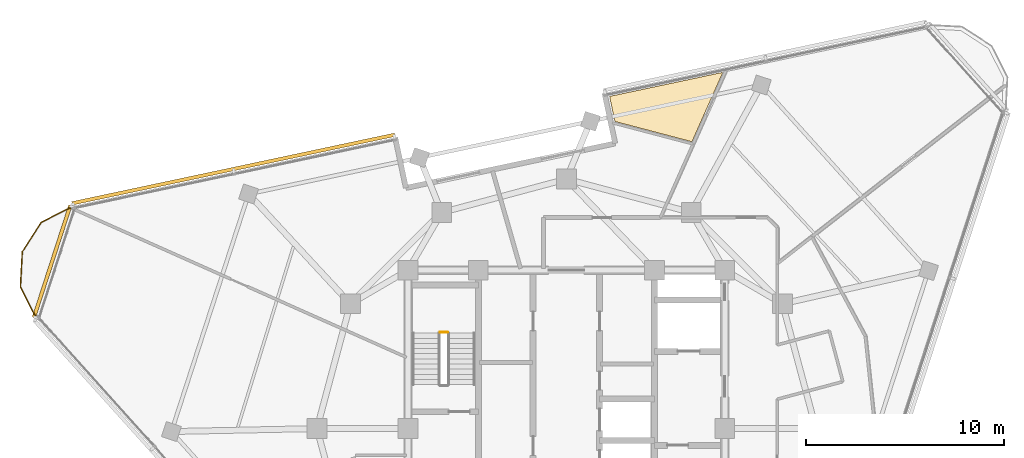
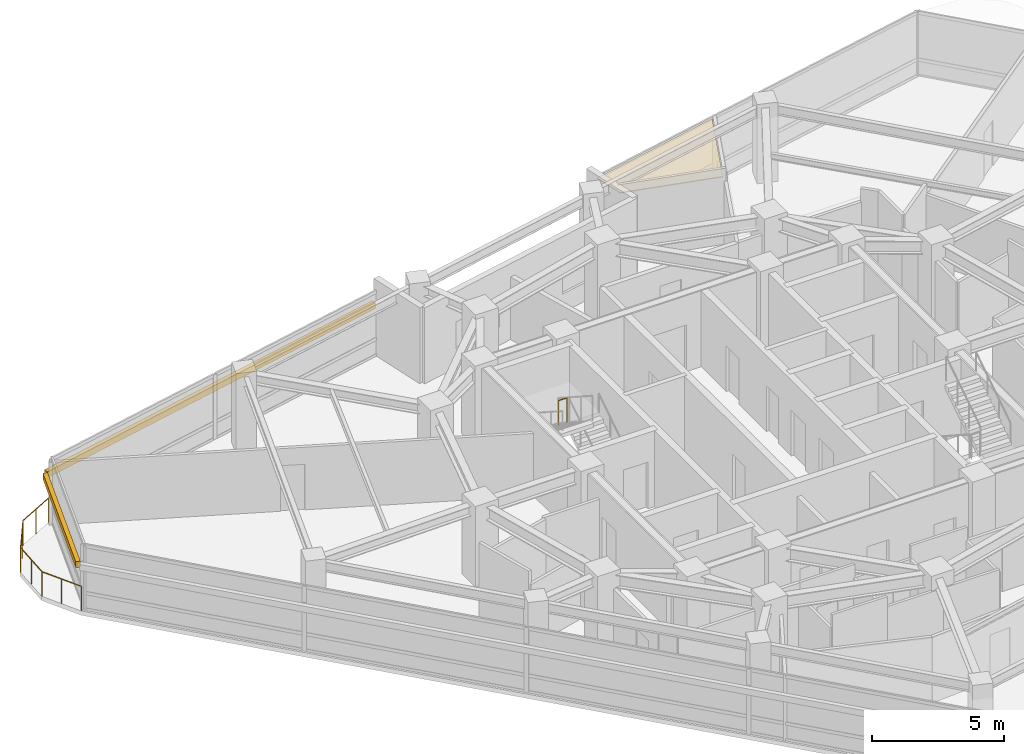
# One storey, part 14 of 15: 2 railings, 2 shading devices, 1 covering.
"""IFC4 building model written with IfcOpenShell, lengths in metres."""

from ifc_helpers import new_model, si_unit, direction, frame, origin, origin_2d, place, context, subcontext, project, spatial, polyline, rectangle, circle, outline, extrude, material, layer, layer_set, type_object, element, save


model = new_model("IFC4")

# Units and contexts
model_context = context("Model", 3, precision=1e-05, world=origin(), true_north=direction((0.0, 1.0)))
body_context = subcontext(model_context, "Body", "Model", "MODEL_VIEW")
ifc_project = project(units=[si_unit("LENGTHUNIT", "METRE"), si_unit("AREAUNIT", "SQUARE_METRE"), si_unit("VOLUMEUNIT", "CUBIC_METRE"), si_unit("PLANEANGLEUNIT", "RADIAN"), si_unit("MASSUNIT", "GRAM", prefix="KILO")], contexts=[model_context])

# Site, building, storey
site_placement = place(None, origin())
site = spatial("IfcSite", under=ifc_project, at=site_placement, CompositionType="ELEMENT")
building_placement = place(site_placement, origin())
building = spatial("IfcBuilding", under=site, at=building_placement, Name="Terralouvre Media Tower", CompositionType="ELEMENT")
storey_placement = place(building_placement, frame((0.0, 0.0, 301.699951171875)))
storey = spatial("IfcBuildingStorey", under=building, at=storey_placement, Name="L78", CompositionType="ELEMENT", Elevation=301.699951171875)

# Covering
ifc_material_1 = material(Name="Perforated aluminium acoustic ceiling baffle", Category="aluminium")
ifc_layer_1 = layer(ifc_material_1, 0.0400390625, Name="Perforated Acoustic Metal Tile Ceiling CL-AC1")
ifc_layer_set_1 = layer_set([ifc_layer_1], Name="Perforated aluminium acoustic ceiling baffle")
covering_type = type_object("IfcCoveringType", Name="Perforated Acoustic Metal Tile Ceiling CL-AC1", PredefinedType="CEILING", material=ifc_layer_set_1)
covering_placement = place(storey_placement, frame((0.0, 0.0, 2.97998046875), z_axis=(0.0, 0.0, 1.0), x_axis=(0.309016994375, 0.951056516295, 0.0)))
element("IfcCovering", 1, at=covering_placement, inside=storey, type_object=covering_type, Name="L78 Barista Coffee Tea Pantry 8 Acoustic Ceiling", PredefinedType="CEILING", context=body_context, shape_type="SweptSolid", body=[
    extrude(outline(polyline([(19.55322265625, -1.9541015625), (16.62841796875, 3.111083984375), (15.507568359375, 2.463623046875), (15.736572265625, -1.553466796875), (19.55322265625, -1.9541015625)])), origin(), (0.0, 0.0, 1.0), 0.0400390625),
])

# Railings
ifc_material_2 = material(Name="Stainless steel 316 handrail and balustrade", Category="steel")
ifc_layer_2 = layer(ifc_material_2, 0.06005859375, Name="Roof Edge Safety Guardrail GR-ROOF1")
ifc_layer_set_2 = layer_set([ifc_layer_2], Name="Stainless steel 316 handrail and balustrade")
railing_type_1 = type_object("IfcRailingType", Name="Roof Edge Safety Guardrail GR-ROOF1", PredefinedType="GUARDRAIL", material=ifc_layer_set_2)
railing_1_placement = place(storey_placement, frame((-24.927490234375, 11.230224609375, 0.0)))
element("IfcRailing", 2, at=railing_1_placement, inside=storey, type_object=railing_type_1, Name="L78 Wind-Corner Perimeter Safety Guardrail C2", PredefinedType="GUARDRAIL", context=body_context, shape_type="SweptSolid", body=[
    extrude(circle(Radius=0.02099609375, at=origin_2d()), frame((0.0, 0.0, 1.12890625), z_axis=(-0.891111697267, -0.453784026817, 0.0), x_axis=(0.453784026817, -0.891111697267, 0.0)), (0.0, 0.0, 1.0), 1.7802734375),
    extrude(circle(Radius=0.02099609375, at=origin_2d()), frame((-1.58642578125, -0.807861328125, 1.12890625), z_axis=(-0.544752056661, -0.838597160002, 0.0), x_axis=(0.838597160002, -0.544752056661, 0.0)), (0.0, 0.0, 1.0), 1.77978515625),
    extrude(circle(Radius=0.02099609375, at=origin_2d()), frame((-2.555908203125, -2.30029296875, 1.12890625), z_axis=(-0.052126837836, -0.998640472231, 0.0), x_axis=(0.998640472231, -0.052126837836, 0.0)), (0.0, 0.0, 1.0), 1.77978515625),
    extrude(circle(Radius=0.02099609375, at=origin_2d()), frame((-2.648681640625, -4.07763671875, 1.12890625), z_axis=(0.454221597143, -0.890888736425, 0.0), x_axis=(0.890888736425, 0.454221597143, 0.0)), (0.0, 0.0, 1.0), 1.7802734375),
    extrude(circle(Radius=0.01904296875, at=origin_2d()), origin(), (0.0, 0.0, 1.0), 1.10791015625),
    extrude(circle(Radius=0.01904296875, at=origin_2d()), frame((-0.793212890625, -0.40380859375, 0.0)), (0.0, 0.0, 1.0), 1.10791015625),
    extrude(circle(Radius=0.01904296875, at=origin_2d()), frame((-1.58642578125, -0.807861328125, 0.0)), (0.0, 0.0, 1.0), 1.10791015625),
    extrude(circle(Radius=0.01904296875, at=origin_2d()), frame((-2.0712890625, -1.55419921875, 0.0)), (0.0, 0.0, 1.0), 1.10791015625),
    extrude(circle(Radius=0.01904296875, at=origin_2d()), frame((-2.555908203125, -2.30029296875, 0.0)), (0.0, 0.0, 1.0), 1.10791015625),
    extrude(circle(Radius=0.01904296875, at=origin_2d()), frame((-2.602294921875, -3.18896484375, 0.0)), (0.0, 0.0, 1.0), 1.10791015625),
    extrude(circle(Radius=0.01904296875, at=origin_2d()), frame((-2.648681640625, -4.07763671875, 0.0)), (0.0, 0.0, 1.0), 1.10791015625),
    extrude(circle(Radius=0.01904296875, at=origin_2d()), frame((-2.244384765625, -4.87060546875, 0.0)), (0.0, 0.0, 1.0), 1.10791015625),
    extrude(circle(Radius=0.01904296875, at=origin_2d()), frame((-1.840087890625, -5.66357421875, 0.0)), (0.0, 0.0, 1.0), 1.10791015625),
])
ifc_material_3 = material(Name="Stainless steel 316 handrail and balustrade", Category="steel")
ifc_layer_3 = layer(ifc_material_3, 0.050048828125, Name="Stairwell Safety Guardrail GR-INT1")
ifc_layer_set_3 = layer_set([ifc_layer_3], Name="Stainless steel 316 handrail and balustrade")
railing_type_2 = type_object("IfcRailingType", Name="Stairwell Safety Guardrail GR-INT1", PredefinedType="GUARDRAIL", material=ifc_layer_set_3)
railing_2_placement = place(storey_placement, frame((-6.0, 4.8701171875, 1.85009765625)))
element("IfcRailing", 3, at=railing_2_placement, inside=storey, type_object=railing_type_2, Name="L78 ST-01 stair guard 2", PredefinedType="GUARDRAIL", context=body_context, shape_type="SweptSolid", body=[
    extrude(circle(Radius=0.02392578125, at=origin_2d()), frame((0.0, 0.0, 1.1259765625), z_axis=(-1.0, 0.0, 0.0), x_axis=(0.0, -1.0, 0.0)), (0.0, 0.0, 1.0), 0.3798828125),
    extrude(circle(Radius=0.02099609375, at=origin_2d()), origin(), (0.0, 0.0, 1.0), 1.101806640625),
    extrude(circle(Radius=0.02099609375, at=origin_2d()), frame((-0.3798828125, 0.0, 0.0)), (0.0, 0.0, 1.0), 1.101806640625),
])

# Shading devices
ifc_material_4 = material(Name="Extruded terracotta baguette sunshade louvres", Category="masonry")
shading_device_type = type_object("IfcShadingDeviceType", Name="Terracotta Baguette Sunshade Louvre Screen TB-LV1", PredefinedType="USERDEFINED", material=ifc_material_4)
shading_device_1_placement = place(storey_placement, frame((-16.822265625, 13.105224609375, 2.02392578125), z_axis=(0.0, 0.0, 1.0), x_axis=(-0.978147684351, -0.20791129743, 0.0)))
element("IfcShadingDevice", 4, at=shading_device_1_placement, inside=storey, type_object=shading_device_type, Name="CW-L78-F1R Terracotta Baguette Sunshade Louvre", ObjectType="BAGUETTE", PredefinedType="USERDEFINED", context=body_context, shape_type="SweptSolid", body=[
    extrude(rectangle(XDim=16.659912109375, YDim=0.179931640625, at=origin_2d()), origin(), (0.0, 0.0, 1.0), 0.280029296875),
])
shading_device_2_placement = place(storey_placement, frame((-25.975830078125, 8.440185546875, 2.02392578125), z_axis=(0.0, 0.0, 1.0), x_axis=(-0.30901654693, -0.951056661679, 0.0)))
element("IfcShadingDevice", 5, at=shading_device_2_placement, inside=storey, type_object=shading_device_type, Name="CW-L78-C2 Terracotta Baguette Sunshade Louvre", ObjectType="BAGUETTE", PredefinedType="USERDEFINED", context=body_context, shape_type="SweptSolid", body=[
    extrude(rectangle(XDim=5.958251953125, YDim=0.179931640625, at=origin_2d()), origin(), (0.0, 0.0, 1.0), 0.280029296875),
])

save(model, "model.ifc")
